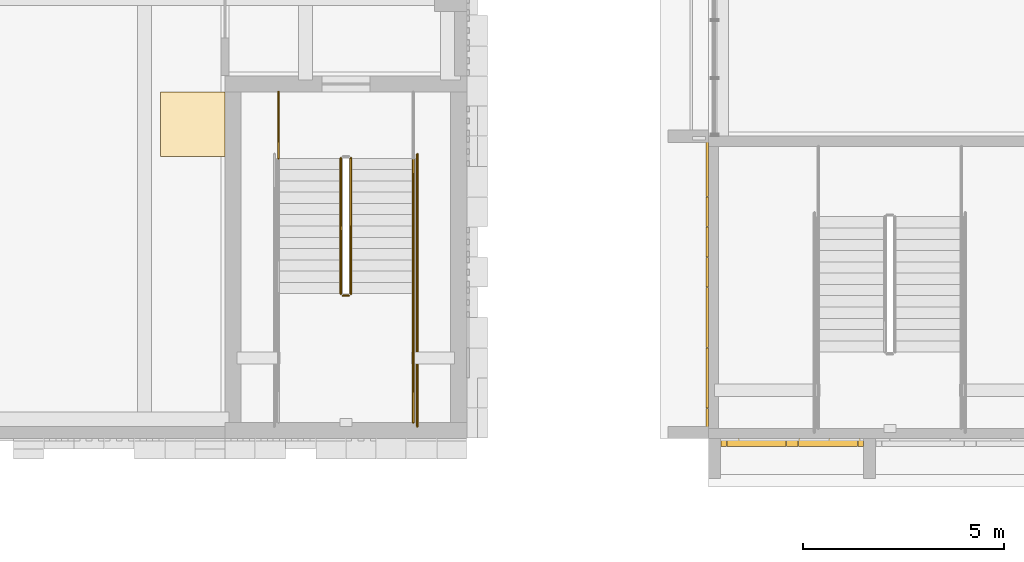
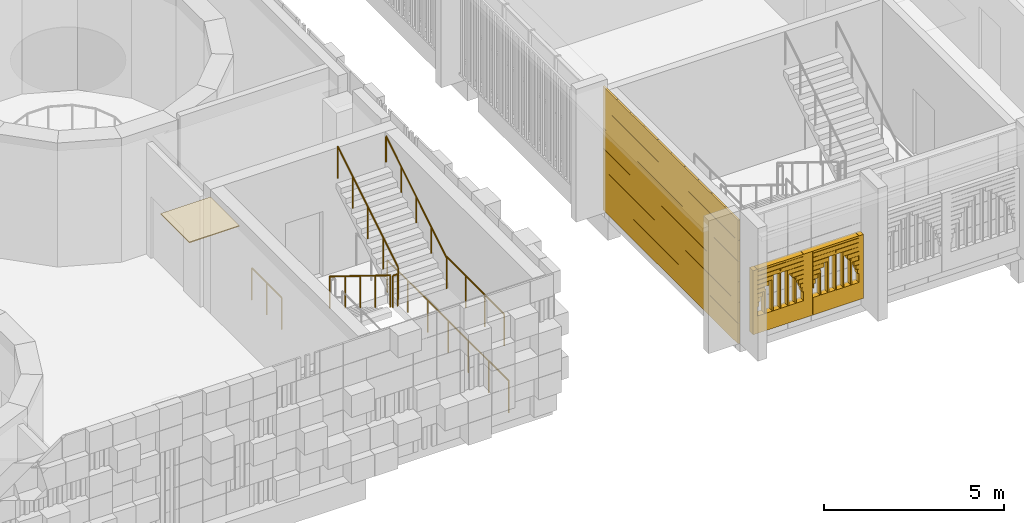
# One storey, part 73 of 92: 7 railings, 3 coverings.
"""IFC4 building model written with IfcOpenShell, lengths in metres."""

from ifc_helpers import new_model, si_unit, direction, frame, origin, origin_2d, place, context, subcontext, project, spatial, polyline, rectangle, circle, outline, extrude, material, layer, layer_set, type_object, element, save


model = new_model("IFC4")

# Units and contexts
model_context = context("Model", 3, precision=1e-05, world=origin(), true_north=direction((0.0, 1.0)))
body_context = subcontext(model_context, "Body", "Model", "MODEL_VIEW")
ifc_project = project(units=[si_unit("LENGTHUNIT", "METRE"), si_unit("AREAUNIT", "SQUARE_METRE"), si_unit("VOLUMEUNIT", "CUBIC_METRE"), si_unit("PLANEANGLEUNIT", "RADIAN"), si_unit("MASSUNIT", "GRAM", prefix="KILO")], contexts=[model_context])

# Site, building, storey
site_placement = place(None, origin())
site = spatial("IfcSite", under=ifc_project, at=site_placement, CompositionType="ELEMENT")
building_placement = place(site_placement, origin())
building = spatial("IfcBuilding", under=site, at=building_placement, Name="Sun Court Science Centre", CompositionType="ELEMENT")
storey_placement = place(building_placement, frame((0.0, 0.0, 11.25)))
storey = spatial("IfcBuildingStorey", under=building, at=storey_placement, Name="L02", CompositionType="ELEMENT", Elevation=11.25)

# Coverings
ifc_material_1 = material(Name="Red sandstone", Category="masonry")
ifc_layer_1 = layer(ifc_material_1, 0.199951171875)
ifc_layer_set_1 = layer_set([ifc_layer_1], Name="Red sandstone")
covering_type_1 = type_object("IfcCoveringType", Name="Arched jali screen 200", PredefinedType="CLADDING", material=ifc_layer_set_1)
covering_1_placement = place(storey_placement, frame((0.0, 0.0, -11.25)))
element("IfcCovering", 1, at=covering_1_placement, inside=storey, type_object=covering_type_1, Name="Arched jali screen south L02 01", PredefinedType="CLADDING", context=body_context, shape_type="SweptSolid", body=[
    extrude(rectangle(XDim=0.139892578125, YDim=0.199951171875, at=origin_2d()), frame((78.375, 5.89990234375, 11.554931640625), z_axis=(0.0, 0.0, 1.0), x_axis=(1.0, 0.0, 0.0)), (0.0, 0.0, 1.0), 2.16748046875),
    extrude(rectangle(XDim=0.2900390625, YDim=0.199951171875, at=origin_2d()), frame((80.074951171875, 5.89990234375, 11.554931640625), z_axis=(0.0, 0.0, 1.0), x_axis=(1.0, 0.0, 0.0)), (0.0, 0.0, 1.0), 2.16748046875),
    extrude(rectangle(XDim=0.139892578125, YDim=0.199951171875, at=origin_2d()), frame((81.77490234375, 5.89990234375, 11.554931640625), z_axis=(0.0, 0.0, 1.0), x_axis=(1.0, 0.0, 0.0)), (0.0, 0.0, 1.0), 2.16748046875),
    extrude(rectangle(XDim=1.465087890625, YDim=0.199951171875, at=origin_2d()), frame((79.1875, 5.89990234375, 11.55517578125), z_axis=(0.0, 0.0, 1.0), x_axis=(1.0, 0.0, 0.0)), (0.0, 0.0, 1.0), 0.590087890625),
    extrude(rectangle(XDim=0.03857421875, YDim=0.199951171875, at=origin_2d()), frame((78.47412109375, 5.89990234375, 12.455078125), z_axis=(0.0, 0.0, 1.0), x_axis=(1.0, 0.0, 0.0)), (0.0, 0.0, 1.0), 0.139892578125),
    extrude(rectangle(XDim=0.03857421875, YDim=0.199951171875, at=origin_2d()), frame((79.90087890625, 5.89990234375, 12.455078125), z_axis=(0.0, 0.0, 1.0), x_axis=(1.0, 0.0, 0.0)), (0.0, 0.0, 1.0), 0.139892578125),
    extrude(rectangle(XDim=0.086669921875, YDim=0.199951171875, at=origin_2d()), frame((78.498291015625, 5.89990234375, 12.60498046875), z_axis=(0.0, 0.0, 1.0), x_axis=(1.0, 0.0, 0.0)), (0.0, 0.0, 1.0), 0.139892578125),
    extrude(rectangle(XDim=0.086669921875, YDim=0.199951171875, at=origin_2d()), frame((79.876708984375, 5.89990234375, 12.60498046875), z_axis=(0.0, 0.0, 1.0), x_axis=(1.0, 0.0, 0.0)), (0.0, 0.0, 1.0), 0.139892578125),
    extrude(rectangle(XDim=0.153564453125, YDim=0.199951171875, at=origin_2d()), frame((78.53173828125, 5.89990234375, 12.7548828125), z_axis=(0.0, 0.0, 1.0), x_axis=(1.0, 0.0, 0.0)), (0.0, 0.0, 1.0), 0.139892578125),
    extrude(rectangle(XDim=0.153564453125, YDim=0.199951171875, at=origin_2d()), frame((79.84326171875, 5.89990234375, 12.7548828125), z_axis=(0.0, 0.0, 1.0), x_axis=(1.0, 0.0, 0.0)), (0.0, 0.0, 1.0), 0.139892578125),
    extrude(rectangle(XDim=0.2421875, YDim=0.199951171875, at=origin_2d()), frame((78.576171875, 5.89990234375, 12.9052734375), z_axis=(0.0, 0.0, 1.0), x_axis=(1.0, 0.0, 0.0)), (0.0, 0.0, 1.0), 0.139892578125),
    extrude(rectangle(XDim=0.2421875, YDim=0.199951171875, at=origin_2d()), frame((79.798828125, 5.89990234375, 12.9052734375), z_axis=(0.0, 0.0, 1.0), x_axis=(1.0, 0.0, 0.0)), (0.0, 0.0, 1.0), 0.139892578125),
    extrude(rectangle(XDim=0.358154296875, YDim=0.199951171875, at=origin_2d()), frame((78.634033203125, 5.89990234375, 13.05517578125), z_axis=(0.0, 0.0, 1.0), x_axis=(1.0, 0.0, 0.0)), (0.0, 0.0, 1.0), 0.139892578125),
    extrude(rectangle(XDim=0.358154296875, YDim=0.199951171875, at=origin_2d()), frame((79.740966796875, 5.89990234375, 13.05517578125), z_axis=(0.0, 0.0, 1.0), x_axis=(1.0, 0.0, 0.0)), (0.0, 0.0, 1.0), 0.139892578125),
    extrude(rectangle(XDim=0.510986328125, YDim=0.199951171875, at=origin_2d()), frame((78.71044921875, 5.89990234375, 13.205078125), z_axis=(0.0, 0.0, 1.0), x_axis=(1.0, 0.0, 0.0)), (0.0, 0.0, 1.0), 0.139892578125),
    extrude(rectangle(XDim=0.510986328125, YDim=0.199951171875, at=origin_2d()), frame((79.66455078125, 5.89990234375, 13.205078125), z_axis=(0.0, 0.0, 1.0), x_axis=(1.0, 0.0, 0.0)), (0.0, 0.0, 1.0), 0.139892578125),
    extrude(rectangle(XDim=0.723388671875, YDim=0.199951171875, at=origin_2d()), frame((78.816650390625, 5.89990234375, 13.35498046875), z_axis=(0.0, 0.0, 1.0), x_axis=(1.0, 0.0, 0.0)), (0.0, 0.0, 1.0), 0.139892578125),
    extrude(rectangle(XDim=0.723388671875, YDim=0.199951171875, at=origin_2d()), frame((79.558349609375, 5.89990234375, 13.35498046875), z_axis=(0.0, 0.0, 1.0), x_axis=(1.0, 0.0, 0.0)), (0.0, 0.0, 1.0), 0.139892578125),
    extrude(rectangle(XDim=1.465087890625, YDim=0.199951171875, at=origin_2d()), frame((79.1875, 5.89990234375, 13.5048828125), z_axis=(0.0, 0.0, 1.0), x_axis=(1.0, 0.0, 0.0)), (0.0, 0.0, 1.0), 0.139892578125),
    extrude(rectangle(XDim=1.465087890625, YDim=0.199951171875, at=origin_2d()), frame((79.1875, 5.89990234375, 13.655029296875), z_axis=(0.0, 0.0, 1.0), x_axis=(1.0, 0.0, 0.0)), (0.0, 0.0, 1.0), 0.0673828125),
    extrude(rectangle(XDim=0.0400390625, YDim=0.199951171875, at=origin_2d()), frame((78.69580078125, 5.89990234375, 12.15478515625), z_axis=(0.0, 0.0, 1.0), x_axis=(1.0, 0.0, 0.0)), (0.0, 0.0, 1.0), 0.805419921875),
    extrude(rectangle(XDim=0.0400390625, YDim=0.199951171875, at=origin_2d()), frame((78.941650390625, 5.89990234375, 12.155029296875), z_axis=(0.0, 0.0, 1.0), x_axis=(1.0, 0.0, 0.0)), (0.0, 0.0, 1.0), 1.08935546875),
    extrude(rectangle(XDim=0.0400390625, YDim=0.199951171875, at=origin_2d()), frame((79.1875, 5.89990234375, 12.15478515625), z_axis=(0.0, 0.0, 1.0), x_axis=(1.0, 0.0, 0.0)), (0.0, 0.0, 1.0), 1.267333984375),
    extrude(rectangle(XDim=0.0400390625, YDim=0.199951171875, at=origin_2d()), frame((79.433349609375, 5.89990234375, 12.155029296875), z_axis=(0.0, 0.0, 1.0), x_axis=(1.0, 0.0, 0.0)), (0.0, 0.0, 1.0), 1.08935546875),
    extrude(rectangle(XDim=0.0400390625, YDim=0.199951171875, at=origin_2d()), frame((79.67919921875, 5.89990234375, 12.15478515625), z_axis=(0.0, 0.0, 1.0), x_axis=(1.0, 0.0, 0.0)), (0.0, 0.0, 1.0), 0.805419921875),
    extrude(rectangle(XDim=1.465087890625, YDim=0.199951171875, at=origin_2d()), frame((80.96240234375, 5.89990234375, 11.55517578125), z_axis=(0.0, 0.0, 1.0), x_axis=(1.0, 0.0, 0.0)), (0.0, 0.0, 1.0), 0.590087890625),
    extrude(rectangle(XDim=0.03857421875, YDim=0.199951171875, at=origin_2d()), frame((80.249267578125, 5.89990234375, 12.455078125), z_axis=(0.0, 0.0, 1.0), x_axis=(1.0, 0.0, 0.0)), (0.0, 0.0, 1.0), 0.139892578125),
    extrude(rectangle(XDim=0.03857421875, YDim=0.199951171875, at=origin_2d()), frame((81.67578125, 5.89990234375, 12.455078125), z_axis=(0.0, 0.0, 1.0), x_axis=(1.0, 0.0, 0.0)), (0.0, 0.0, 1.0), 0.139892578125),
    extrude(rectangle(XDim=0.086669921875, YDim=0.199951171875, at=origin_2d()), frame((80.273193359375, 5.89990234375, 12.60498046875), z_axis=(0.0, 0.0, 1.0), x_axis=(1.0, 0.0, 0.0)), (0.0, 0.0, 1.0), 0.139892578125),
    extrude(rectangle(XDim=0.086669921875, YDim=0.199951171875, at=origin_2d()), frame((81.651611328125, 5.89990234375, 12.60498046875), z_axis=(0.0, 0.0, 1.0), x_axis=(1.0, 0.0, 0.0)), (0.0, 0.0, 1.0), 0.139892578125),
    extrude(rectangle(XDim=0.153564453125, YDim=0.199951171875, at=origin_2d()), frame((80.306640625, 5.89990234375, 12.7548828125), z_axis=(0.0, 0.0, 1.0), x_axis=(1.0, 0.0, 0.0)), (0.0, 0.0, 1.0), 0.139892578125),
    extrude(rectangle(XDim=0.153564453125, YDim=0.199951171875, at=origin_2d()), frame((81.6181640625, 5.89990234375, 12.7548828125), z_axis=(0.0, 0.0, 1.0), x_axis=(1.0, 0.0, 0.0)), (0.0, 0.0, 1.0), 0.139892578125),
    extrude(rectangle(XDim=0.2421875, YDim=0.199951171875, at=origin_2d()), frame((80.35107421875, 5.89990234375, 12.9052734375), z_axis=(0.0, 0.0, 1.0), x_axis=(1.0, 0.0, 0.0)), (0.0, 0.0, 1.0), 0.139892578125),
    extrude(rectangle(XDim=0.2421875, YDim=0.199951171875, at=origin_2d()), frame((81.57373046875, 5.89990234375, 12.9052734375), z_axis=(0.0, 0.0, 1.0), x_axis=(1.0, 0.0, 0.0)), (0.0, 0.0, 1.0), 0.139892578125),
    extrude(rectangle(XDim=0.358154296875, YDim=0.199951171875, at=origin_2d()), frame((80.4091796875, 5.89990234375, 13.05517578125), z_axis=(0.0, 0.0, 1.0), x_axis=(1.0, 0.0, 0.0)), (0.0, 0.0, 1.0), 0.139892578125),
    extrude(rectangle(XDim=0.358154296875, YDim=0.199951171875, at=origin_2d()), frame((81.515869140625, 5.89990234375, 13.05517578125), z_axis=(0.0, 0.0, 1.0), x_axis=(1.0, 0.0, 0.0)), (0.0, 0.0, 1.0), 0.139892578125),
    extrude(rectangle(XDim=0.510986328125, YDim=0.199951171875, at=origin_2d()), frame((80.485595703125, 5.89990234375, 13.205078125), z_axis=(0.0, 0.0, 1.0), x_axis=(1.0, 0.0, 0.0)), (0.0, 0.0, 1.0), 0.139892578125),
    extrude(rectangle(XDim=0.510986328125, YDim=0.199951171875, at=origin_2d()), frame((81.439453125, 5.89990234375, 13.205078125), z_axis=(0.0, 0.0, 1.0), x_axis=(1.0, 0.0, 0.0)), (0.0, 0.0, 1.0), 0.139892578125),
    extrude(rectangle(XDim=0.723388671875, YDim=0.199951171875, at=origin_2d()), frame((80.591796875, 5.89990234375, 13.35498046875), z_axis=(0.0, 0.0, 1.0), x_axis=(1.0, 0.0, 0.0)), (0.0, 0.0, 1.0), 0.139892578125),
    extrude(rectangle(XDim=0.723388671875, YDim=0.199951171875, at=origin_2d()), frame((81.333251953125, 5.89990234375, 13.35498046875), z_axis=(0.0, 0.0, 1.0), x_axis=(1.0, 0.0, 0.0)), (0.0, 0.0, 1.0), 0.139892578125),
    extrude(rectangle(XDim=1.465087890625, YDim=0.199951171875, at=origin_2d()), frame((80.96240234375, 5.89990234375, 13.5048828125), z_axis=(0.0, 0.0, 1.0), x_axis=(1.0, 0.0, 0.0)), (0.0, 0.0, 1.0), 0.139892578125),
    extrude(rectangle(XDim=1.465087890625, YDim=0.199951171875, at=origin_2d()), frame((80.96240234375, 5.89990234375, 13.655029296875), z_axis=(0.0, 0.0, 1.0), x_axis=(1.0, 0.0, 0.0)), (0.0, 0.0, 1.0), 0.0673828125),
    extrude(rectangle(XDim=0.0400390625, YDim=0.199951171875, at=origin_2d()), frame((80.470947265625, 5.89990234375, 12.15478515625), z_axis=(0.0, 0.0, 1.0), x_axis=(1.0, 0.0, 0.0)), (0.0, 0.0, 1.0), 0.805419921875),
    extrude(rectangle(XDim=0.0400390625, YDim=0.199951171875, at=origin_2d()), frame((80.716552734375, 5.89990234375, 12.155029296875), z_axis=(0.0, 0.0, 1.0), x_axis=(1.0, 0.0, 0.0)), (0.0, 0.0, 1.0), 1.08935546875),
    extrude(rectangle(XDim=0.0400390625, YDim=0.199951171875, at=origin_2d()), frame((80.96240234375, 5.89990234375, 12.15478515625), z_axis=(0.0, 0.0, 1.0), x_axis=(1.0, 0.0, 0.0)), (0.0, 0.0, 1.0), 1.267333984375),
    extrude(rectangle(XDim=0.0400390625, YDim=0.199951171875, at=origin_2d()), frame((81.208251953125, 5.89990234375, 12.155029296875), z_axis=(0.0, 0.0, 1.0), x_axis=(1.0, 0.0, 0.0)), (0.0, 0.0, 1.0), 1.08935546875),
    extrude(rectangle(XDim=0.0400390625, YDim=0.199951171875, at=origin_2d()), frame((81.4541015625, 5.89990234375, 12.15478515625), z_axis=(0.0, 0.0, 1.0), x_axis=(1.0, 0.0, 0.0)), (0.0, 0.0, 1.0), 0.805419921875),
])
ifc_material_2 = material(Name="Gypsum board")
ifc_layer_2 = layer(ifc_material_2, 0.030029296875)
ifc_layer_set_2 = layer_set([ifc_layer_2], Name="Gypsum board")
covering_type_2 = type_object("IfcCoveringType", Name="Ceiling suspended 600 module", PredefinedType="CEILING", material=ifc_layer_set_2)
covering_2_placement = place(storey_placement, frame((0.0, 0.0, 3.919921875)))
element("IfcCovering", 2, at=covering_2_placement, inside=storey, type_object=covering_type_2, Name="L02-031 ceiling", PredefinedType="CEILING", context=body_context, shape_type="SweptSolid", body=[
    extrude(outline(polyline([(66.0, 14.60009765625), (66.0, 13.0), (64.39990234375, 13.0), (64.39990234375, 14.60009765625), (66.0, 14.60009765625)])), origin(), (0.0, 0.0, 1.0), 0.030029296875),
])

# Railings
ifc_material_3 = material(Name="Steel S275", Category="steel")
railing_type_1 = type_object("IfcRailingType", Name="Guard 1100 steel balustrade", PredefinedType="GUARDRAIL", material=ifc_material_3)
railing_1_placement = place(storey_placement, frame((68.875, 12.951904296875, 0.173095703125)))
element("IfcRailing", 3, at=railing_1_placement, inside=storey, type_object=railing_type_1, Name="L02 SB3 stair guard 1", PredefinedType="GUARDRAIL", context=body_context, shape_type="SweptSolid", body=[
    extrude(circle(Radius=0.02392578125, at=origin_2d()), frame((0.0, 0.0, 1.076171875), z_axis=(0.0, -0.850606129759, 0.525803396734), x_axis=(1.0, 0.0, 0.0)), (0.0, 0.0, 1.0), 3.949951171875),
    extrude(circle(Radius=0.02099609375, at=origin_2d()), origin(), (0.0, 0.0, 1.0), 1.052001953125),
    extrude(circle(Radius=0.02099609375, at=origin_2d()), frame((0.0, -0.83984375, 0.519287109375)), (0.0, 0.0, 1.0), 1.052001953125),
    extrude(circle(Radius=0.02099609375, at=origin_2d()), frame((0.0, -1.679931640625, 1.03857421875)), (0.0, 0.0, 1.0), 1.052001953125),
    extrude(circle(Radius=0.02099609375, at=origin_2d()), frame((0.0, -2.52001953125, 1.5576171875)), (0.0, 0.0, 1.0), 1.052001953125),
    extrude(circle(Radius=0.02099609375, at=origin_2d()), frame((0.0, -3.35986328125, 2.076904296875)), (0.0, 0.0, 1.0), 1.052001953125),
])
railing_2_placement = place(storey_placement, frame((68.925048828125, 9.5419921875, 2.25)))
element("IfcRailing", 4, at=railing_2_placement, inside=storey, type_object=railing_type_1, Name="L02 SB3 stair guard 2", PredefinedType="GUARDRAIL", context=body_context, shape_type="SweptSolid", body=[
    extrude(circle(Radius=0.02392578125, at=origin_2d()), frame((0.0, 0.0, 1.076171875), z_axis=(1.0, 0.0, 0.0), x_axis=(0.0, 1.0, 0.0)), (0.0, 0.0, 1.0), 0.14990234375),
    extrude(circle(Radius=0.02099609375, at=origin_2d()), origin(), (0.0, 0.0, 1.0), 1.052001953125),
    extrude(circle(Radius=0.02099609375, at=origin_2d()), frame((0.14990234375, 0.0, 0.0)), (0.0, 0.0, 1.0), 1.052001953125),
])
railing_3_placement = place(storey_placement, frame((70.673095703125, 9.592041015625, 2.25)))
element("IfcRailing", 5, at=railing_3_placement, inside=storey, type_object=railing_type_1, Name="L02 SB3 stair guard 4", PredefinedType="GUARDRAIL", context=body_context, shape_type="SweptSolid", body=[
    extrude(circle(Radius=0.02392578125, at=origin_2d()), frame((0.0, 0.0, 1.076171875), z_axis=(0.0, -1.0, 0.0), x_axis=(1.0, 0.0, 0.0)), (0.0, 0.0, 1.0), 3.192138671875),
    extrude(circle(Radius=0.02099609375, at=origin_2d()), origin(), (0.0, 0.0, 1.0), 1.052001953125),
    extrude(circle(Radius=0.02099609375, at=origin_2d()), frame((0.0, -1.06396484375, 0.0)), (0.0, 0.0, 1.0), 1.052001953125),
    extrude(circle(Radius=0.02099609375, at=origin_2d()), frame((0.0, -2.128173828125, 0.0)), (0.0, 0.0, 1.0), 1.052001953125),
    extrude(circle(Radius=0.02099609375, at=origin_2d()), frame((0.0, -3.192138671875, 0.0)), (0.0, 0.0, 1.0), 1.052001953125),
])
railing_4_placement = place(storey_placement, frame((69.125, 9.592041015625, 2.423095703125)))
element("IfcRailing", 6, at=railing_4_placement, inside=storey, type_object=railing_type_1, Name="L02 SB3 stair guard 5", PredefinedType="GUARDRAIL", context=body_context, shape_type="SweptSolid", body=[
    extrude(circle(Radius=0.02392578125, at=origin_2d()), frame((0.0, 0.0, 1.076171875), z_axis=(0.0, 0.850606129759, 0.525803396734), x_axis=(-1.0, 0.0, 0.0)), (0.0, 0.0, 1.0), 3.949951171875),
    extrude(circle(Radius=0.02099609375, at=origin_2d()), origin(), (0.0, 0.0, 1.0), 1.052001953125),
    extrude(circle(Radius=0.02099609375, at=origin_2d()), frame((0.0, 0.83984375, 0.519287109375)), (0.0, 0.0, 1.0), 1.052001953125),
    extrude(circle(Radius=0.02099609375, at=origin_2d()), frame((0.0, 1.679931640625, 1.03857421875)), (0.0, 0.0, 1.0), 1.052001953125),
    extrude(circle(Radius=0.02099609375, at=origin_2d()), frame((0.0, 2.52001953125, 1.5576171875)), (0.0, 0.0, 1.0), 1.052001953125),
    extrude(circle(Radius=0.02099609375, at=origin_2d()), frame((0.0, 3.35986328125, 2.076904296875)), (0.0, 0.0, 1.0), 1.052001953125),
])
railing_5_placement = place(storey_placement, frame((67.326904296875, 14.60009765625, 0.0)))
element("IfcRailing", 7, at=railing_5_placement, inside=storey, type_object=railing_type_1, Name="L02 SB3 stair guard 7", PredefinedType="GUARDRAIL", context=body_context, shape_type="SweptSolid", body=[
    extrude(circle(Radius=0.02392578125, at=origin_2d()), frame((0.0, 0.0, 1.076171875), z_axis=(0.0, -1.0, 0.0), x_axis=(1.0, 0.0, 0.0)), (0.0, 0.0, 1.0), 1.648193359375),
    extrude(circle(Radius=0.02099609375, at=origin_2d()), origin(), (0.0, 0.0, 1.0), 1.052001953125),
    extrude(circle(Radius=0.02099609375, at=origin_2d()), frame((0.0, -0.82421875, 0.0)), (0.0, 0.0, 1.0), 1.052001953125),
    extrude(circle(Radius=0.02099609375, at=origin_2d()), frame((0.0, -1.648193359375, 0.0)), (0.0, 0.0, 1.0), 1.052001953125),
])
railing_6_placement = place(storey_placement, frame((70.77294921875, 13.052001953125, 0.0)))
element("IfcRailing", 8, at=railing_6_placement, inside=storey, type_object=railing_type_1, Name="L02 SB3 stair guard 10", PredefinedType="GUARDRAIL", context=body_context, shape_type="SweptSolid", body=[
    extrude(circle(Radius=0.02392578125, at=origin_2d()), frame((0.0, 0.0, 1.076171875), z_axis=(0.0, -1.0, 0.0), x_axis=(1.0, 0.0, 0.0)), (0.0, 0.0, 1.0), 6.751953125),
    extrude(circle(Radius=0.02099609375, at=origin_2d()), origin(), (0.0, 0.0, 1.0), 1.052001953125),
    extrude(circle(Radius=0.02099609375, at=origin_2d()), frame((0.0, -1.125244140625, 0.0)), (0.0, 0.0, 1.0), 1.052001953125),
    extrude(circle(Radius=0.02099609375, at=origin_2d()), frame((0.0, -2.250732421875, 0.0)), (0.0, 0.0, 1.0), 1.052001953125),
    extrude(circle(Radius=0.02099609375, at=origin_2d()), frame((0.0, -3.3759765625, 0.0)), (0.0, 0.0, 1.0), 1.052001953125),
    extrude(circle(Radius=0.02099609375, at=origin_2d()), frame((0.0, -4.501220703125, 0.0)), (0.0, 0.0, 1.0), 1.052001953125),
    extrude(circle(Radius=0.02099609375, at=origin_2d()), frame((0.0, -5.626708984375, 0.0)), (0.0, 0.0, 1.0), 1.052001953125),
    extrude(circle(Radius=0.02099609375, at=origin_2d()), frame((0.0, -6.751953125, 0.0)), (0.0, 0.0, 1.0), 1.052001953125),
])
ifc_material_4 = material(Name="Stainless steel", Category="steel")
railing_type_2 = type_object("IfcRailingType", Name="Handrail 900 stainless", PredefinedType="HANDRAIL", material=ifc_material_4)
railing_7_placement = place(storey_placement, frame((70.673095703125, 9.592041015625, 2.423095703125)))
element("IfcRailing", 9, at=railing_7_placement, inside=storey, type_object=railing_type_2, Name="L02 SB3 stair handrail 2", PredefinedType="HANDRAIL", context=body_context, shape_type="SweptSolid", body=[
    extrude(circle(Radius=0.02392578125, at=origin_2d()), frame((0.0, 0.0, 0.8759765625), z_axis=(0.0, 0.850606129759, 0.525803396734), x_axis=(-1.0, 0.0, 0.0)), (0.0, 0.0, 1.0), 3.949951171875),
    extrude(circle(Radius=0.02099609375, at=origin_2d()), origin(), (0.0, 0.0, 1.0), 0.851806640625),
    extrude(circle(Radius=0.02099609375, at=origin_2d()), frame((0.0, 0.83984375, 0.519287109375)), (0.0, 0.0, 1.0), 0.851806640625),
    extrude(circle(Radius=0.02099609375, at=origin_2d()), frame((0.0, 1.679931640625, 1.03857421875)), (0.0, 0.0, 1.0), 0.851806640625),
    extrude(circle(Radius=0.02099609375, at=origin_2d()), frame((0.0, 2.52001953125, 1.5576171875)), (0.0, 0.0, 1.0), 0.851806640625),
    extrude(circle(Radius=0.02099609375, at=origin_2d()), frame((0.0, 3.35986328125, 2.076904296875)), (0.0, 0.0, 1.0), 0.851806640625),
])

# Covering
ifc_material_5 = material(Name="Red sandstone", Category="masonry")
ifc_layer_3 = layer(ifc_material_5, 0.06005859375)
ifc_layer_set_3 = layer_set([ifc_layer_3], Name="Red sandstone")
covering_type_3 = type_object("IfcCoveringType", Name="Red sandstone wall cladding 750", PredefinedType="CLADDING", material=ifc_layer_set_3)
covering_3_placement = place(storey_placement, frame((0.0, 0.0, -11.25)))
element("IfcCovering", 10, at=covering_3_placement, inside=storey, type_object=covering_type_3, Name="Red sandstone wall cladding west face L02", PredefinedType="CLADDING", context=body_context, shape_type="SweptSolid", body=[
    extrude(rectangle(XDim=0.739990234375, YDim=0.06005859375, at=origin_2d()), frame((77.969970703125, 6.375, 11.255126953125), z_axis=(0.0, 0.0, 1.0), x_axis=(0.0, 1.0, 0.0)), (0.0, 0.0, 1.0), 0.68994140625),
    extrude(rectangle(XDim=0.739990234375, YDim=0.06005859375, at=origin_2d()), frame((77.969970703125, 7.125, 11.255126953125), z_axis=(0.0, 0.0, 1.0), x_axis=(0.0, 1.0, 0.0)), (0.0, 0.0, 1.0), 0.68994140625),
    extrude(rectangle(XDim=0.739990234375, YDim=0.06005859375, at=origin_2d()), frame((77.969970703125, 7.875, 11.255126953125), z_axis=(0.0, 0.0, 1.0), x_axis=(0.0, 1.0, 0.0)), (0.0, 0.0, 1.0), 0.68994140625),
    extrude(rectangle(XDim=0.739990234375, YDim=0.06005859375, at=origin_2d()), frame((77.969970703125, 8.625, 11.255126953125), z_axis=(0.0, 0.0, 1.0), x_axis=(0.0, 1.0, 0.0)), (0.0, 0.0, 1.0), 0.68994140625),
    extrude(rectangle(XDim=0.739990234375, YDim=0.06005859375, at=origin_2d()), frame((77.969970703125, 9.375, 11.255126953125), z_axis=(0.0, 0.0, 1.0), x_axis=(0.0, 1.0, 0.0)), (0.0, 0.0, 1.0), 0.68994140625),
    extrude(rectangle(XDim=0.739990234375, YDim=0.06005859375, at=origin_2d()), frame((77.969970703125, 10.125, 11.255126953125), z_axis=(0.0, 0.0, 1.0), x_axis=(0.0, 1.0, 0.0)), (0.0, 0.0, 1.0), 0.68994140625),
    extrude(rectangle(XDim=0.739990234375, YDim=0.06005859375, at=origin_2d()), frame((77.969970703125, 10.875, 11.255126953125), z_axis=(0.0, 0.0, 1.0), x_axis=(0.0, 1.0, 0.0)), (0.0, 0.0, 1.0), 0.68994140625),
    extrude(rectangle(XDim=0.739990234375, YDim=0.06005859375, at=origin_2d()), frame((77.969970703125, 11.625, 11.255126953125), z_axis=(0.0, 0.0, 1.0), x_axis=(0.0, 1.0, 0.0)), (0.0, 0.0, 1.0), 0.68994140625),
    extrude(rectangle(XDim=0.739990234375, YDim=0.06005859375, at=origin_2d()), frame((77.969970703125, 12.375, 11.255126953125), z_axis=(0.0, 0.0, 1.0), x_axis=(0.0, 1.0, 0.0)), (0.0, 0.0, 1.0), 0.68994140625),
    extrude(rectangle(XDim=0.739990234375, YDim=0.06005859375, at=origin_2d()), frame((77.969970703125, 13.125, 11.255126953125), z_axis=(0.0, 0.0, 1.0), x_axis=(0.0, 1.0, 0.0)), (0.0, 0.0, 1.0), 0.68994140625),
    extrude(rectangle(XDim=0.739990234375, YDim=0.06005859375, at=origin_2d()), frame((77.969970703125, 6.375, 11.955078125), z_axis=(0.0, 0.0, 1.0), x_axis=(0.0, 1.0, 0.0)), (0.0, 0.0, 1.0), 0.68994140625),
    extrude(rectangle(XDim=0.739990234375, YDim=0.06005859375, at=origin_2d()), frame((77.969970703125, 7.125, 11.955078125), z_axis=(0.0, 0.0, 1.0), x_axis=(0.0, 1.0, 0.0)), (0.0, 0.0, 1.0), 0.68994140625),
    extrude(rectangle(XDim=0.739990234375, YDim=0.06005859375, at=origin_2d()), frame((77.969970703125, 7.875, 11.955078125), z_axis=(0.0, 0.0, 1.0), x_axis=(0.0, 1.0, 0.0)), (0.0, 0.0, 1.0), 0.68994140625),
    extrude(rectangle(XDim=0.739990234375, YDim=0.06005859375, at=origin_2d()), frame((77.969970703125, 8.625, 11.955078125), z_axis=(0.0, 0.0, 1.0), x_axis=(0.0, 1.0, 0.0)), (0.0, 0.0, 1.0), 0.68994140625),
    extrude(rectangle(XDim=0.739990234375, YDim=0.06005859375, at=origin_2d()), frame((77.969970703125, 9.375, 11.955078125), z_axis=(0.0, 0.0, 1.0), x_axis=(0.0, 1.0, 0.0)), (0.0, 0.0, 1.0), 0.68994140625),
    extrude(rectangle(XDim=0.739990234375, YDim=0.06005859375, at=origin_2d()), frame((77.969970703125, 10.125, 11.955078125), z_axis=(0.0, 0.0, 1.0), x_axis=(0.0, 1.0, 0.0)), (0.0, 0.0, 1.0), 0.68994140625),
    extrude(rectangle(XDim=0.739990234375, YDim=0.06005859375, at=origin_2d()), frame((77.969970703125, 10.875, 11.955078125), z_axis=(0.0, 0.0, 1.0), x_axis=(0.0, 1.0, 0.0)), (0.0, 0.0, 1.0), 0.68994140625),
    extrude(rectangle(XDim=0.739990234375, YDim=0.06005859375, at=origin_2d()), frame((77.969970703125, 11.625, 11.955078125), z_axis=(0.0, 0.0, 1.0), x_axis=(0.0, 1.0, 0.0)), (0.0, 0.0, 1.0), 0.68994140625),
    extrude(rectangle(XDim=0.739990234375, YDim=0.06005859375, at=origin_2d()), frame((77.969970703125, 12.375, 11.955078125), z_axis=(0.0, 0.0, 1.0), x_axis=(0.0, 1.0, 0.0)), (0.0, 0.0, 1.0), 0.68994140625),
    extrude(rectangle(XDim=0.739990234375, YDim=0.06005859375, at=origin_2d()), frame((77.969970703125, 13.125, 11.955078125), z_axis=(0.0, 0.0, 1.0), x_axis=(0.0, 1.0, 0.0)), (0.0, 0.0, 1.0), 0.68994140625),
    extrude(rectangle(XDim=0.739990234375, YDim=0.06005859375, at=origin_2d()), frame((77.969970703125, 6.375, 12.655029296875), z_axis=(0.0, 0.0, 1.0), x_axis=(0.0, 1.0, 0.0)), (0.0, 0.0, 1.0), 0.68994140625),
    extrude(rectangle(XDim=0.739990234375, YDim=0.06005859375, at=origin_2d()), frame((77.969970703125, 7.125, 12.655029296875), z_axis=(0.0, 0.0, 1.0), x_axis=(0.0, 1.0, 0.0)), (0.0, 0.0, 1.0), 0.68994140625),
    extrude(rectangle(XDim=0.739990234375, YDim=0.06005859375, at=origin_2d()), frame((77.969970703125, 7.875, 12.655029296875), z_axis=(0.0, 0.0, 1.0), x_axis=(0.0, 1.0, 0.0)), (0.0, 0.0, 1.0), 0.68994140625),
    extrude(rectangle(XDim=0.739990234375, YDim=0.06005859375, at=origin_2d()), frame((77.969970703125, 8.625, 12.655029296875), z_axis=(0.0, 0.0, 1.0), x_axis=(0.0, 1.0, 0.0)), (0.0, 0.0, 1.0), 0.68994140625),
    extrude(rectangle(XDim=0.739990234375, YDim=0.06005859375, at=origin_2d()), frame((77.969970703125, 9.375, 12.655029296875), z_axis=(0.0, 0.0, 1.0), x_axis=(0.0, 1.0, 0.0)), (0.0, 0.0, 1.0), 0.68994140625),
    extrude(rectangle(XDim=0.739990234375, YDim=0.06005859375, at=origin_2d()), frame((77.969970703125, 10.125, 12.655029296875), z_axis=(0.0, 0.0, 1.0), x_axis=(0.0, 1.0, 0.0)), (0.0, 0.0, 1.0), 0.68994140625),
    extrude(rectangle(XDim=0.739990234375, YDim=0.06005859375, at=origin_2d()), frame((77.969970703125, 10.875, 12.655029296875), z_axis=(0.0, 0.0, 1.0), x_axis=(0.0, 1.0, 0.0)), (0.0, 0.0, 1.0), 0.68994140625),
    extrude(rectangle(XDim=0.739990234375, YDim=0.06005859375, at=origin_2d()), frame((77.969970703125, 11.625, 12.655029296875), z_axis=(0.0, 0.0, 1.0), x_axis=(0.0, 1.0, 0.0)), (0.0, 0.0, 1.0), 0.68994140625),
    extrude(rectangle(XDim=0.739990234375, YDim=0.06005859375, at=origin_2d()), frame((77.969970703125, 12.375, 12.655029296875), z_axis=(0.0, 0.0, 1.0), x_axis=(0.0, 1.0, 0.0)), (0.0, 0.0, 1.0), 0.68994140625),
    extrude(rectangle(XDim=0.739990234375, YDim=0.06005859375, at=origin_2d()), frame((77.969970703125, 13.125, 12.655029296875), z_axis=(0.0, 0.0, 1.0), x_axis=(0.0, 1.0, 0.0)), (0.0, 0.0, 1.0), 0.68994140625),
    extrude(rectangle(XDim=0.739990234375, YDim=0.06005859375, at=origin_2d()), frame((77.969970703125, 6.375, 13.35498046875), z_axis=(0.0, 0.0, 1.0), x_axis=(0.0, 1.0, 0.0)), (0.0, 0.0, 1.0), 0.68994140625),
    extrude(rectangle(XDim=0.739990234375, YDim=0.06005859375, at=origin_2d()), frame((77.969970703125, 7.125, 13.35498046875), z_axis=(0.0, 0.0, 1.0), x_axis=(0.0, 1.0, 0.0)), (0.0, 0.0, 1.0), 0.68994140625),
    extrude(rectangle(XDim=0.739990234375, YDim=0.06005859375, at=origin_2d()), frame((77.969970703125, 7.875, 13.35498046875), z_axis=(0.0, 0.0, 1.0), x_axis=(0.0, 1.0, 0.0)), (0.0, 0.0, 1.0), 0.68994140625),
    extrude(rectangle(XDim=0.739990234375, YDim=0.06005859375, at=origin_2d()), frame((77.969970703125, 8.625, 13.35498046875), z_axis=(0.0, 0.0, 1.0), x_axis=(0.0, 1.0, 0.0)), (0.0, 0.0, 1.0), 0.68994140625),
    extrude(rectangle(XDim=0.739990234375, YDim=0.06005859375, at=origin_2d()), frame((77.969970703125, 9.375, 13.35498046875), z_axis=(0.0, 0.0, 1.0), x_axis=(0.0, 1.0, 0.0)), (0.0, 0.0, 1.0), 0.68994140625),
    extrude(rectangle(XDim=0.739990234375, YDim=0.06005859375, at=origin_2d()), frame((77.969970703125, 10.125, 13.35498046875), z_axis=(0.0, 0.0, 1.0), x_axis=(0.0, 1.0, 0.0)), (0.0, 0.0, 1.0), 0.68994140625),
    extrude(rectangle(XDim=0.739990234375, YDim=0.06005859375, at=origin_2d()), frame((77.969970703125, 10.875, 13.35498046875), z_axis=(0.0, 0.0, 1.0), x_axis=(0.0, 1.0, 0.0)), (0.0, 0.0, 1.0), 0.68994140625),
    extrude(rectangle(XDim=0.739990234375, YDim=0.06005859375, at=origin_2d()), frame((77.969970703125, 11.625, 13.35498046875), z_axis=(0.0, 0.0, 1.0), x_axis=(0.0, 1.0, 0.0)), (0.0, 0.0, 1.0), 0.68994140625),
    extrude(rectangle(XDim=0.739990234375, YDim=0.06005859375, at=origin_2d()), frame((77.969970703125, 12.375, 13.35498046875), z_axis=(0.0, 0.0, 1.0), x_axis=(0.0, 1.0, 0.0)), (0.0, 0.0, 1.0), 0.68994140625),
    extrude(rectangle(XDim=0.739990234375, YDim=0.06005859375, at=origin_2d()), frame((77.969970703125, 13.125, 13.35498046875), z_axis=(0.0, 0.0, 1.0), x_axis=(0.0, 1.0, 0.0)), (0.0, 0.0, 1.0), 0.68994140625),
    extrude(rectangle(XDim=0.739990234375, YDim=0.06005859375, at=origin_2d()), frame((77.969970703125, 6.375, 14.054931640625), z_axis=(0.0, 0.0, 1.0), x_axis=(0.0, 1.0, 0.0)), (0.0, 0.0, 1.0), 0.68994140625),
    extrude(rectangle(XDim=0.739990234375, YDim=0.06005859375, at=origin_2d()), frame((77.969970703125, 7.125, 14.054931640625), z_axis=(0.0, 0.0, 1.0), x_axis=(0.0, 1.0, 0.0)), (0.0, 0.0, 1.0), 0.68994140625),
    extrude(rectangle(XDim=0.739990234375, YDim=0.06005859375, at=origin_2d()), frame((77.969970703125, 7.875, 14.054931640625), z_axis=(0.0, 0.0, 1.0), x_axis=(0.0, 1.0, 0.0)), (0.0, 0.0, 1.0), 0.68994140625),
    extrude(rectangle(XDim=0.739990234375, YDim=0.06005859375, at=origin_2d()), frame((77.969970703125, 8.625, 14.054931640625), z_axis=(0.0, 0.0, 1.0), x_axis=(0.0, 1.0, 0.0)), (0.0, 0.0, 1.0), 0.68994140625),
    extrude(rectangle(XDim=0.739990234375, YDim=0.06005859375, at=origin_2d()), frame((77.969970703125, 9.375, 14.054931640625), z_axis=(0.0, 0.0, 1.0), x_axis=(0.0, 1.0, 0.0)), (0.0, 0.0, 1.0), 0.68994140625),
    extrude(rectangle(XDim=0.739990234375, YDim=0.06005859375, at=origin_2d()), frame((77.969970703125, 10.125, 14.054931640625), z_axis=(0.0, 0.0, 1.0), x_axis=(0.0, 1.0, 0.0)), (0.0, 0.0, 1.0), 0.68994140625),
    extrude(rectangle(XDim=0.739990234375, YDim=0.06005859375, at=origin_2d()), frame((77.969970703125, 10.875, 14.054931640625), z_axis=(0.0, 0.0, 1.0), x_axis=(0.0, 1.0, 0.0)), (0.0, 0.0, 1.0), 0.68994140625),
    extrude(rectangle(XDim=0.739990234375, YDim=0.06005859375, at=origin_2d()), frame((77.969970703125, 11.625, 14.054931640625), z_axis=(0.0, 0.0, 1.0), x_axis=(0.0, 1.0, 0.0)), (0.0, 0.0, 1.0), 0.68994140625),
    extrude(rectangle(XDim=0.739990234375, YDim=0.06005859375, at=origin_2d()), frame((77.969970703125, 12.375, 14.054931640625), z_axis=(0.0, 0.0, 1.0), x_axis=(0.0, 1.0, 0.0)), (0.0, 0.0, 1.0), 0.68994140625),
    extrude(rectangle(XDim=0.739990234375, YDim=0.06005859375, at=origin_2d()), frame((77.969970703125, 13.125, 14.054931640625), z_axis=(0.0, 0.0, 1.0), x_axis=(0.0, 1.0, 0.0)), (0.0, 0.0, 1.0), 0.68994140625),
    extrude(rectangle(XDim=0.739990234375, YDim=0.06005859375, at=origin_2d()), frame((77.969970703125, 6.375, 14.755126953125), z_axis=(0.0, 0.0, 1.0), x_axis=(0.0, 1.0, 0.0)), (0.0, 0.0, 1.0), 0.68994140625),
    extrude(rectangle(XDim=0.739990234375, YDim=0.06005859375, at=origin_2d()), frame((77.969970703125, 7.125, 14.755126953125), z_axis=(0.0, 0.0, 1.0), x_axis=(0.0, 1.0, 0.0)), (0.0, 0.0, 1.0), 0.68994140625),
    extrude(rectangle(XDim=0.739990234375, YDim=0.06005859375, at=origin_2d()), frame((77.969970703125, 7.875, 14.755126953125), z_axis=(0.0, 0.0, 1.0), x_axis=(0.0, 1.0, 0.0)), (0.0, 0.0, 1.0), 0.68994140625),
    extrude(rectangle(XDim=0.739990234375, YDim=0.06005859375, at=origin_2d()), frame((77.969970703125, 8.625, 14.755126953125), z_axis=(0.0, 0.0, 1.0), x_axis=(0.0, 1.0, 0.0)), (0.0, 0.0, 1.0), 0.68994140625),
    extrude(rectangle(XDim=0.739990234375, YDim=0.06005859375, at=origin_2d()), frame((77.969970703125, 9.375, 14.755126953125), z_axis=(0.0, 0.0, 1.0), x_axis=(0.0, 1.0, 0.0)), (0.0, 0.0, 1.0), 0.68994140625),
    extrude(rectangle(XDim=0.739990234375, YDim=0.06005859375, at=origin_2d()), frame((77.969970703125, 10.125, 14.755126953125), z_axis=(0.0, 0.0, 1.0), x_axis=(0.0, 1.0, 0.0)), (0.0, 0.0, 1.0), 0.68994140625),
    extrude(rectangle(XDim=0.739990234375, YDim=0.06005859375, at=origin_2d()), frame((77.969970703125, 10.875, 14.755126953125), z_axis=(0.0, 0.0, 1.0), x_axis=(0.0, 1.0, 0.0)), (0.0, 0.0, 1.0), 0.68994140625),
    extrude(rectangle(XDim=0.739990234375, YDim=0.06005859375, at=origin_2d()), frame((77.969970703125, 11.625, 14.755126953125), z_axis=(0.0, 0.0, 1.0), x_axis=(0.0, 1.0, 0.0)), (0.0, 0.0, 1.0), 0.68994140625),
    extrude(rectangle(XDim=0.739990234375, YDim=0.06005859375, at=origin_2d()), frame((77.969970703125, 12.375, 14.755126953125), z_axis=(0.0, 0.0, 1.0), x_axis=(0.0, 1.0, 0.0)), (0.0, 0.0, 1.0), 0.68994140625),
    extrude(rectangle(XDim=0.739990234375, YDim=0.06005859375, at=origin_2d()), frame((77.969970703125, 13.125, 14.755126953125), z_axis=(0.0, 0.0, 1.0), x_axis=(0.0, 1.0, 0.0)), (0.0, 0.0, 1.0), 0.68994140625),
])

save(model, "model.ifc")
